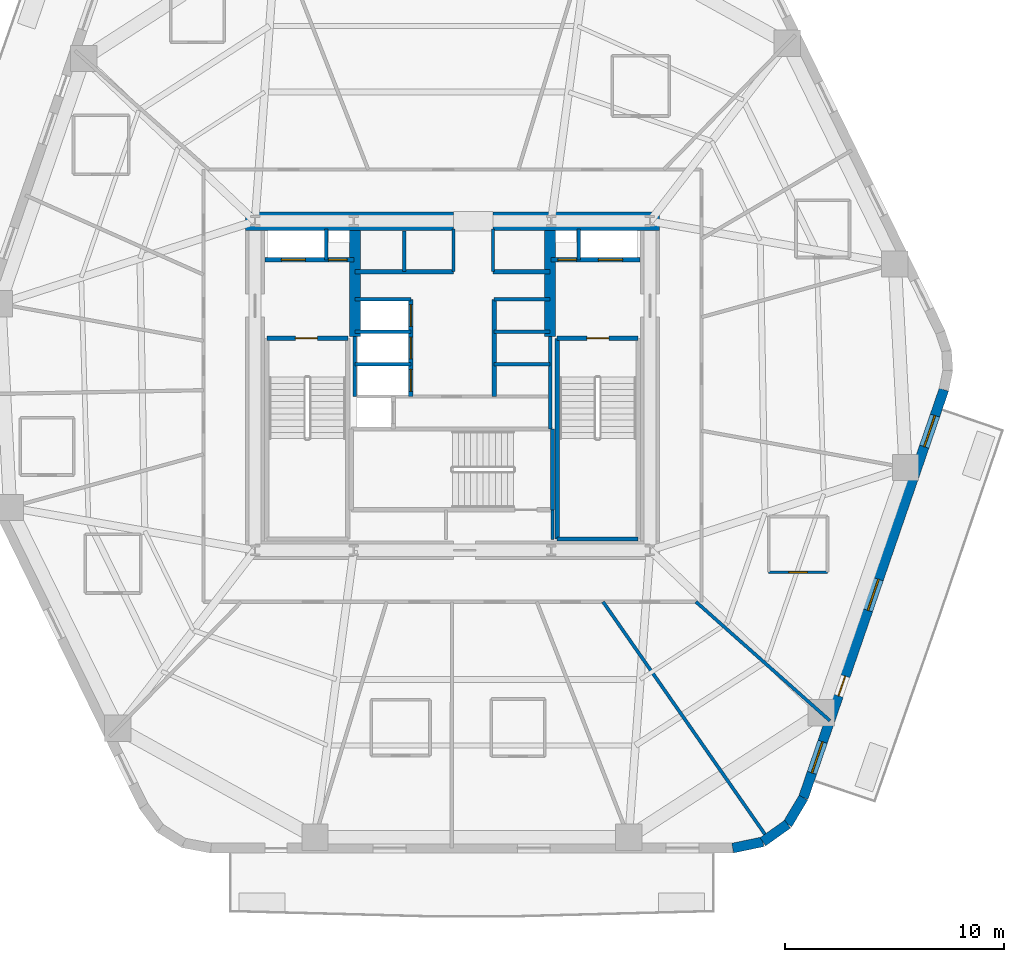
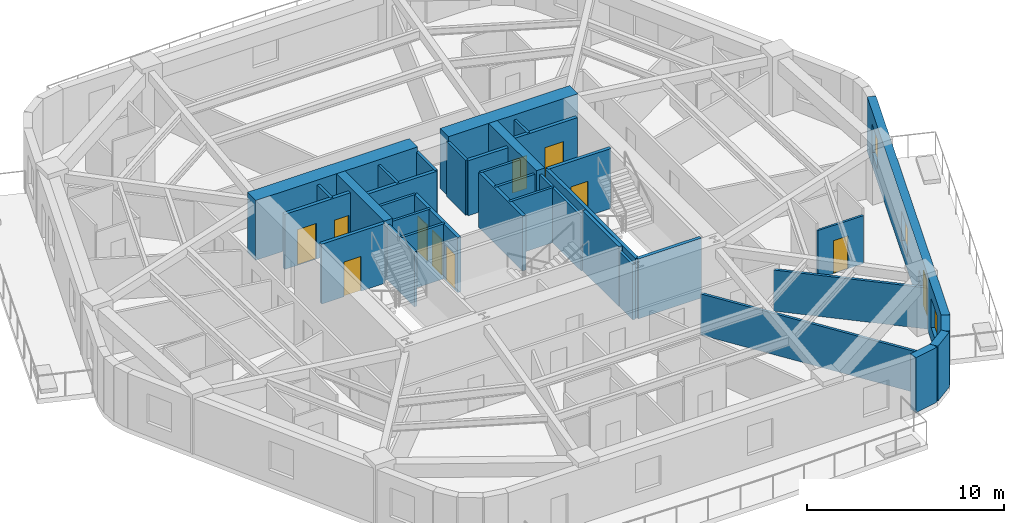
# One storey, part 4 of 8: 36 walls, 11 doors, 3 windows, 14 openings.
"""IFC4 building model written with IfcOpenShell, lengths in metres."""

from ifc_helpers import new_model, si_unit, direction, frame, frame_2d, origin, place, context, subcontext, project, spatial, rectangle, extrude, material, layer, layer_set, type_object, element, fill, save


model = new_model("IFC4")

# Units and contexts
model_context = context("Model", 3, precision=1e-05, world=origin(), true_north=direction((0.0, 1.0)))
body_context = subcontext(model_context, "Body", "Model", "MODEL_VIEW")
ifc_project = project(units=[si_unit("LENGTHUNIT", "METRE"), si_unit("AREAUNIT", "SQUARE_METRE"), si_unit("VOLUMEUNIT", "CUBIC_METRE"), si_unit("PLANEANGLEUNIT", "RADIAN"), si_unit("MASSUNIT", "GRAM", prefix="KILO")], contexts=[model_context])

# Site, building, storey
site_placement = place(None, origin())
site = spatial("IfcSite", under=ifc_project, at=site_placement, CompositionType="ELEMENT")
building_placement = place(site_placement, origin())
building = spatial("IfcBuilding", under=site, at=building_placement, Name="Kilnhurst Terrace Hotel", CompositionType="ELEMENT")
storey_placement = place(building_placement, frame((0.0, 0.0, 106.199951171875)))
storey = spatial("IfcBuildingStorey", under=building, at=storey_placement, Name="L25", CompositionType="ELEMENT", Elevation=106.199951171875)

# Walls
ifc_material_1 = material(Name="Precast concrete C40/50", Category="concrete")
ifc_layer_1 = layer(ifc_material_1, 0.449951171875, Name="Precast concrete C40/50")
ifc_layer_set_1 = layer_set([ifc_layer_1], Name="Precast concrete C40/50")
wall_type_1 = type_object("IfcWallType", Name="WL-BRK-450", PredefinedType="SOLIDWALL", material=ifc_layer_set_1)
wall_1_placement = place(storey_placement, frame((12.7705078125, -21.074951171875, 0.0), z_axis=(0.0, 0.0, 1.0), x_axis=(0.97874281988, 0.205091424819, 0.0)))
element("IfcWall", 1, at=wall_1_placement, inside=storey, type_object=wall_type_1, Name="L25 Rounded Corner Brick Wall C2.1", PredefinedType="SOLIDWALL", context=body_context, shape_type="SweptSolid", body=[
    extrude(rectangle(XDim=1.40576171875, YDim=0.449951171875, at=frame_2d((0.702880859375, 0.0))), origin(), (0.0, 0.0, 1.0), 3.400146484375),
])
wall_2_placement = place(storey_placement, frame((14.146484375, -20.78662109375, 0.0), z_axis=(0.0, 0.0, 1.0), x_axis=(0.814162929117, 0.580636482536, 0.0)))
element("IfcWall", 2, at=wall_2_placement, inside=storey, type_object=wall_type_1, Name="L25 Rounded Corner Brick Wall C2.2", PredefinedType="SOLIDWALL", context=body_context, shape_type="SweptSolid", body=[
    extrude(rectangle(XDim=1.382080078125, YDim=0.449951171875, at=frame_2d((0.69091796875, 0.0))), origin(), (0.0, 0.0, 1.0), 3.400146484375),
])
wall_3_placement = place(storey_placement, frame((15.271728515625, -19.984130859375, 0.0), z_axis=(0.0, 0.0, 1.0), x_axis=(0.512579347361, 0.858639862025, 0.0)))
element("IfcWall", 3, at=wall_3_placement, inside=storey, type_object=wall_type_1, Name="L25 Rounded Corner Brick Wall C2.3", PredefinedType="SOLIDWALL", context=body_context, shape_type="SweptSolid", body=[
    extrude(rectangle(XDim=1.406005859375, YDim=0.449951171875, at=frame_2d((0.703125, 0.0))), origin(), (0.0, 0.0, 1.0), 3.400146484375),
])

# Wall, openings, door, windows
wall_4_placement = place(storey_placement, frame((15.992431640625, -18.77685546875, 0.0), z_axis=(0.0, 0.0, 1.0), x_axis=(0.325606988926, 0.945505202927, 0.0)))
wall_4 = element("IfcWall", 4, at=wall_4_placement, inside=storey, type_object=wall_type_1, Name="L25 Exterior Brick Facade Wall F2", PredefinedType="SOLIDWALL", context=body_context, shape_type="SweptSolid", body=[
    extrude(rectangle(XDim=19.66943359375, YDim=0.449951171875, at=frame_2d((9.834716796875, 0.0))), origin(), (0.0, 0.0, 1.0), 3.400146484375),
])
opening_1_placement = place(wall_4_placement, frame((4.908935546875, 0.0, 0.0)))
opening_1 = element("IfcOpeningElement", 5, at=opening_1_placement, cuts=wall_4, Name="Opening BD-950", PredefinedType="OPENING", context=body_context, shape_type="SweptSolid", body=[
    extrude(rectangle(XDim=0.949951171875, YDim=2.14990234375, at=frame_2d((0.47509765625, 1.074951171875))), frame((0.0, 0.23486328125, 0.0), z_axis=(0.0, -1.0, 0.0), x_axis=(1.0, 0.0, 0.0)), (0.0, 0.0, 1.0), 0.469970703125),
])
opening_2_placement = place(wall_4_placement, frame((1.197021484375, 0.0, 0.800048828125)))
opening_2 = element("IfcOpeningElement", 6, at=opening_2_placement, cuts=wall_4, Name="Opening W-02", PredefinedType="OPENING", context=body_context, shape_type="SweptSolid", body=[
    extrude(rectangle(XDim=1.5, YDim=1.800048828125, at=frame_2d((0.75, 0.89990234375))), frame((0.0, 0.23486328125, 0.0), z_axis=(0.0, -1.0, 0.0), x_axis=(1.0, 0.0, 0.0)), (0.0, 0.0, 1.0), 0.469970703125),
])
opening_3_placement = place(wall_4_placement, frame((9.030029296875, 0.0, 0.800048828125)))
opening_3 = element("IfcOpeningElement", 7, at=opening_3_placement, cuts=wall_4, Name="Opening W-02", PredefinedType="OPENING", context=body_context, shape_type="SweptSolid", body=[
    extrude(rectangle(XDim=1.5, YDim=1.800048828125, at=frame_2d((0.75, 0.89990234375))), frame((0.0, 0.23486328125, 0.0), z_axis=(0.0, -1.0, 0.0), x_axis=(1.0, 0.0, 0.0)), (0.0, 0.0, 1.0), 0.469970703125),
])
opening_4_placement = place(wall_4_placement, frame((16.91796875, 0.0, 0.800048828125)))
opening_4 = element("IfcOpeningElement", 8, at=opening_4_placement, cuts=wall_4, Name="Opening W-02", PredefinedType="OPENING", context=body_context, shape_type="SweptSolid", body=[
    extrude(rectangle(XDim=1.5, YDim=1.800048828125, at=frame_2d((0.75, 0.89990234375))), frame((0.0, 0.23486328125, 0.0), z_axis=(0.0, -1.0, 0.0), x_axis=(1.0, 0.0, 0.0)), (0.0, 0.0, 1.0), 0.469970703125),
])
ifc_material_2 = material(Name="Thermally Broken Bronze Aluminium Alloy 6063-T6 and Laminated Glass", Category="aluminium")
door_type_1 = type_object("IfcDoorType", Name="DR-EXT-BAL-950", OperationType="NOTDEFINED", PredefinedType="DOOR", material=ifc_material_2)
door_1_placement = place(opening_1_placement, origin())
door_1 = element("IfcDoor", 9, at=door_1_placement, inside=storey, type_object=door_type_1, Name="L25 Planted Balcony Door BAL-L1B", OperationType="SINGLE_SWING_RIGHT", OverallHeight=2.14990234375, OverallWidth=0.949951171875, PredefinedType="DOOR", context=body_context, shape_type="SweptSolid", body=[
    extrude(rectangle(XDim=0.949951171875, YDim=2.14990234375, at=frame_2d((0.47509765625, 1.074951171875))), frame((0.0, 0.02490234375, 0.0), z_axis=(0.0, -1.0, 0.0), x_axis=(1.0, 0.0, 0.0)), (0.0, 0.0, 1.0), 0.050048828125),
])
fill(opening_1, door_1)
ifc_material_3 = material(Name="Thermally Broken Bronze Aluminium Alloy 6063-T6 and Low-E Glass", Category="aluminium")
window_type = type_object("IfcWindowType", Name="WIN-1500X1800", PartitioningType="SINGLE_PANEL", PredefinedType="WINDOW", material=ifc_material_3)
window_1_placement = place(opening_2_placement, origin())
window_1 = element("IfcWindow", 10, at=window_1_placement, inside=storey, type_object=window_type, Name="L25 Deep-Set Masonry Window F2.1", OverallHeight=1.800048828125, OverallWidth=1.5, PartitioningType="SINGLE_PANEL", PredefinedType="WINDOW", context=body_context, shape_type="SweptSolid", body=[
    extrude(rectangle(XDim=1.5, YDim=1.800048828125, at=frame_2d((0.75, 0.89990234375))), frame((0.0, 0.030029296875, 0.0), z_axis=(0.0, -1.0, 0.0), x_axis=(1.0, 0.0, 0.0)), (0.0, 0.0, 1.0), 0.06005859375),
])
fill(opening_2, window_1)
window_2_placement = place(opening_3_placement, origin())
window_2 = element("IfcWindow", 11, at=window_2_placement, inside=storey, type_object=window_type, Name="L25 Deep-Set Masonry Window F2.2", OverallHeight=1.800048828125, OverallWidth=1.5, PartitioningType="SINGLE_PANEL", PredefinedType="WINDOW", context=body_context, shape_type="SweptSolid", body=[
    extrude(rectangle(XDim=1.5, YDim=1.800048828125, at=frame_2d((0.75, 0.89990234375))), frame((0.0, 0.030029296875, 0.0), z_axis=(0.0, -1.0, 0.0), x_axis=(1.0, 0.0, 0.0)), (0.0, 0.0, 1.0), 0.06005859375),
])
fill(opening_3, window_2)
window_3_placement = place(opening_4_placement, origin())
window_3 = element("IfcWindow", 12, at=window_3_placement, inside=storey, type_object=window_type, Name="L25 Deep-Set Masonry Window F2.3", OverallHeight=1.800048828125, OverallWidth=1.5, PartitioningType="SINGLE_PANEL", PredefinedType="WINDOW", context=body_context, shape_type="SweptSolid", body=[
    extrude(rectangle(XDim=1.5, YDim=1.800048828125, at=frame_2d((0.75, 0.89990234375))), frame((0.0, 0.030029296875, 0.0), z_axis=(0.0, -1.0, 0.0), x_axis=(1.0, 0.0, 0.0)), (0.0, 0.0, 1.0), 0.06005859375),
])
fill(opening_4, window_3)

# Walls
ifc_material_4 = material(Name="Concrete C80/95", Category="concrete")
ifc_layer_2 = layer(ifc_material_4, 0.85009765625, Name="Concrete C80/95")
ifc_layer_set_2 = layer_set([ifc_layer_2], Name="Concrete C80/95")
wall_type_2 = type_object("IfcWallType", Name="WL-CORE-850", PredefinedType="SHEAR", material=ifc_layer_set_2)
wall_5_placement = place(storey_placement, frame((-9.425048828125, 7.5, 0.0), z_axis=(0.0, 0.0, 1.0), x_axis=(1.0, 0.0, 0.0)))
element("IfcWall", 13, at=wall_5_placement, inside=storey, type_object=wall_type_2, Name="L25 Core North West Shear Wall", PredefinedType="SHEAR", context=body_context, shape_type="SweptSolid", body=[
    extrude(rectangle(XDim=9.47509765625, YDim=0.85009765625, at=frame_2d((4.737548828125, 0.0))), origin(), (0.0, 0.0, 1.0), 3.699951171875),
])
wall_6_placement = place(storey_placement, frame((1.85009765625, 7.5, 0.0), z_axis=(0.0, 0.0, 1.0), x_axis=(1.0, 0.0, 0.0)))
element("IfcWall", 14, at=wall_6_placement, inside=storey, type_object=wall_type_2, Name="L25 Core North East Shear Wall", PredefinedType="SHEAR", context=body_context, shape_type="SweptSolid", body=[
    extrude(rectangle(XDim=7.574951171875, YDim=0.85009765625, at=frame_2d((3.78759765625, 0.0))), origin(), (0.0, 0.0, 1.0), 3.699951171875),
])
ifc_material_5 = material(Name="Concrete C60/75", Category="concrete")
ifc_layer_3 = layer(ifc_material_5, 0.5, Name="Concrete C60/75")
ifc_layer_set_3 = layer_set([ifc_layer_3], Name="Concrete C60/75")
wall_type_3 = type_object("IfcWallType", Name="WL-CORE-WEB-500", PredefinedType="SHEAR", material=ifc_layer_set_3)
for number, where, z_axis, x_axis, name in (
    (15, (-4.449951171875, 2.25, 0.0), (0.0, 0.0, 1.0), (0.0, 1.0, 0.0), "L25 Core Internal West Shear Web"),
    (16, (4.449951171875, 2.25, 0.0), (0.0, 0.0, 1.0), (0.0, 1.0, 0.0), "L25 Core Internal East Shear Web"),
):
    element("IfcWall", number, at=place(storey_placement, frame(where, z_axis=z_axis, x_axis=x_axis)), inside=storey, type_object=wall_type_3, Name=name, PredefinedType="SHEAR", context=body_context, shape_type="SweptSolid", body=[
        extrude(rectangle(XDim=4.824951171875, YDim=0.5, at=frame_2d((2.41259765625, 0.0))), origin(), (0.0, 0.0, 1.0), 3.699951171875),
    ])
ifc_material_6 = material(Name="STC-58 Acoustic Twin-Frame Guestroom Demising Partition")
ifc_layer_4 = layer(ifc_material_6, 0.14990234375, Name="STC-58 Acoustic Twin-Frame Guestroom Demising Partition")
ifc_layer_set_4 = layer_set([ifc_layer_4], Name="STC-58 Acoustic Twin-Frame Guestroom Demising Partition")
wall_type_4 = type_object("IfcWallType", Name="WL-DEM-150", PredefinedType="PARTITIONING", material=ifc_layer_set_4)
wall_7_placement = place(storey_placement, frame((6.861083984375, -9.85009765625, 0.0), z_axis=(0.0, 0.0, 1.0), x_axis=(0.571575431292, -0.820549527051, 0.0)))
element("IfcWall", 17, at=wall_7_placement, inside=storey, type_object=wall_type_4, Name="L25 Interior Wall WL-L25-DEM-MID10-15-1", PredefinedType="PARTITIONING", context=body_context, shape_type="SweptSolid", body=[
    extrude(rectangle(XDim=12.97509765625, YDim=0.14990234375, at=frame_2d((6.487548828125, 0.0))), origin(), (0.0, 0.0, 1.0), 2.5400390625),
])
wall_8_placement = place(storey_placement, frame((11.097900390625, -9.85009765625, 0.0), z_axis=(0.0, 0.0, 1.0), x_axis=(0.747904295103, -0.663806572253, 0.0)))
element("IfcWall", 18, at=wall_8_placement, inside=storey, type_object=wall_type_4, Name="L25 Interior Wall WL-L25-DEM-COL11-16-1", PredefinedType="PARTITIONING", context=body_context, shape_type="SweptSolid", body=[
    extrude(rectangle(XDim=8.160400390625, YDim=0.14990234375, at=frame_2d((4.080078125, 0.0))), origin(), (0.0, 0.0, 1.0), 2.5400390625),
])

# Wall, opening, door
ifc_material_7 = material(Name="120 mm Moisture-Resistant Tile-Backed Bathroom Partition")
ifc_layer_5 = layer(ifc_material_7, 0.1201171875, Name="120 mm Moisture-Resistant Tile-Backed Bathroom Partition")
ifc_layer_set_5 = layer_set([ifc_layer_5], Name="120 mm Moisture-Resistant Tile-Backed Bathroom Partition")
wall_type_5 = type_object("IfcWallType", Name="WL-PART-120", PredefinedType="PARTITIONING", material=ifc_layer_set_5)
wall_9_placement = place(storey_placement, frame((14.4140625, -8.5, 0.0), z_axis=(0.0, 0.0, 1.0), x_axis=(1.0, 0.0, 0.0)))
wall_9 = element("IfcWall", 19, at=wall_9_placement, inside=storey, type_object=wall_type_5, Name="L25 Interior Wall WL-L25-BTH-16-1", PredefinedType="PARTITIONING", context=body_context, shape_type="SweptSolid", body=[
    extrude(rectangle(XDim=2.679931640625, YDim=0.1201171875, at=frame_2d((1.33984375, 0.0))), origin(), (0.0, 0.0, 1.0), 2.972412109375),
])
opening_5_placement = place(wall_9_placement, frame((0.9150390625, 0.0, 0.0)))
opening_5 = element("IfcOpeningElement", 20, at=opening_5_placement, cuts=wall_9, Name="Opening D-08A", PredefinedType="OPENING", context=body_context, shape_type="SweptSolid", body=[
    extrude(rectangle(XDim=0.85009765625, YDim=2.030029296875, at=frame_2d((0.425048828125, 1.01513671875))), frame((0.0, 0.070068359375, 0.0), z_axis=(0.0, -1.0, 0.0), x_axis=(1.0, 0.0, 0.0)), (0.0, 0.0, 1.0), 0.14013671875),
])
ifc_material_8 = material(Name="Moisture-Resistant Lacquered En-suite Bathroom Door")
door_type_2 = type_object("IfcDoorType", Name="DR-INT-850", OperationType="NOTDEFINED", PredefinedType="DOOR", material=ifc_material_8)
door_2_placement = place(opening_5_placement, origin())
door_2 = element("IfcDoor", 21, at=door_2_placement, inside=storey, type_object=door_type_2, Name="L25 En-suite Bathroom Door 16", OperationType="SINGLE_SWING_LEFT", OverallHeight=2.030029296875, OverallWidth=0.85009765625, PredefinedType="DOOR", context=body_context, shape_type="SweptSolid", body=[
    extrude(rectangle(XDim=0.85009765625, YDim=2.030029296875, at=frame_2d((0.425048828125, 1.01513671875))), frame((0.0, 0.02490234375, 0.0), z_axis=(0.0, -1.0, 0.0), x_axis=(1.0, 0.0, 0.0)), (0.0, 0.0, 1.0), 0.050048828125),
])
fill(opening_5, door_2)

# Walls
ifc_material_9 = material(Name="Fire-Rated Gypsum Shaftliner Assembly")
ifc_layer_6 = layer(ifc_material_9, 0.14990234375, Name="Fire-Rated Gypsum Shaftliner Assembly")
ifc_layer_set_6 = layer_set([ifc_layer_6], Name="Fire-Rated Gypsum Shaftliner Assembly")
wall_type_6 = type_object("IfcWallType", Name="WL-SHAFT-150", PredefinedType="PARTITIONING", material=ifc_layer_set_6)
wall_10_placement = place(storey_placement, frame((4.55810546875, -7.02001953125, 0.0), z_axis=(0.0, 0.0, 1.0), x_axis=(0.0, 1.0, 0.0)))
element("IfcWall", 22, at=wall_10_placement, inside=storey, type_object=wall_type_6, Name="L25 Interior Wall WL-L25-ST3-PSGE", PredefinedType="PARTITIONING", context=body_context, shape_type="SweptSolid", body=[
    extrude(rectangle(XDim=1.362060546875, YDim=0.14990234375, at=frame_2d((0.68115234375, 0.0))), origin(), (0.0, 0.0, 1.0), 3.400146484375),
])
for number, where, z_axis, x_axis, name in (
    (23, (-5.75, 5.739990234375, 0.0), (0.0, 0.0, 1.0), (0.0, 1.0, 0.0), "L25 Interior Wall WL-L25-RIS1-DIV"),
    (24, (5.75, 5.739990234375, 0.0), (0.0, 0.0, 1.0), (0.0, 1.0, 0.0), "L25 Interior Wall WL-L25-RIS2-DIV"),
):
    element("IfcWall", number, at=place(storey_placement, frame(where, z_axis=z_axis, x_axis=x_axis)), inside=storey, type_object=wall_type_6, Name=name, PredefinedType="PARTITIONING", context=body_context, shape_type="SweptSolid", body=[
        extrude(rectangle(XDim=1.409912109375, YDim=0.14990234375, at=frame_2d((0.705078125, 0.0))), origin(), (0.0, 0.0, 1.0), 3.400146484375),
    ])
wall_11_placement = place(storey_placement, frame((-2.199951171875, 5.199951171875, 0.0), z_axis=(0.0, 0.0, 1.0), x_axis=(0.0, 1.0, 0.0)))
element("IfcWall", 25, at=wall_11_placement, inside=storey, type_object=wall_type_6, Name="L25 Interior Wall WL-L25-HR-DIV1", PredefinedType="PARTITIONING", context=body_context, shape_type="SweptSolid", body=[
    extrude(rectangle(XDim=1.85009765625, YDim=0.14990234375, at=frame_2d((0.925048828125, 0.0))), origin(), (0.0, 0.0, 1.0), 3.400146484375),
])
for number, where, z_axis, x_axis, name in (
    (26, (0.050048828125, 5.199951171875, 0.0), (0.0, 0.0, 1.0), (0.0, 1.0, 0.0), "L25 Interior Wall WL-L25-HR-PORTAL-W"),
    (27, (1.85009765625, 5.199951171875, 0.0), (0.0, 0.0, 1.0), (0.0, 1.0, 0.0), "L25 Interior Wall WL-L25-HR-PORTAL-E"),
):
    element("IfcWall", number, at=place(storey_placement, frame(where, z_axis=z_axis, x_axis=x_axis)), inside=storey, type_object=wall_type_6, Name=name, PredefinedType="PARTITIONING", context=body_context, shape_type="SweptSolid", body=[
        extrude(rectangle(XDim=1.949951171875, YDim=0.14990234375, at=frame_2d((0.97509765625, 0.0))), origin(), (0.0, 0.0, 1.0), 3.400146484375),
    ])
wall_12_placement = place(storey_placement, frame((-4.449951171875, -0.5, 0.0), z_axis=(0.0, 0.0, 1.0), x_axis=(0.0, 1.0, 0.0)))
element("IfcWall", 28, at=wall_12_placement, inside=storey, type_object=wall_type_6, Name="L25 Interior Wall WL-L25-XLOB-W", PredefinedType="PARTITIONING", context=body_context, shape_type="SweptSolid", body=[
    extrude(rectangle(XDim=2.75, YDim=0.14990234375, at=frame_2d((1.375, 0.0))), origin(), (0.0, 0.0, 1.0), 3.400146484375),
])
wall_13_placement = place(storey_placement, frame((4.449951171875, -1.971923828125, 0.0), z_axis=(0.0, 0.0, 1.0), x_axis=(0.0, 1.0, 0.0)))
element("IfcWall", 29, at=wall_13_placement, inside=storey, type_object=wall_type_6, Name="L25 Interior Wall WL-L25-XLOB-E", PredefinedType="PARTITIONING", context=body_context, shape_type="SweptSolid", body=[
    extrude(rectangle(XDim=4.221923828125, YDim=0.14990234375, at=frame_2d((2.11083984375, 0.0))), origin(), (0.0, 0.0, 1.0), 3.400146484375),
])
for number, where, z_axis, x_axis, name in (
    (30, (-4.449951171875, 3.93994140625, 0.0), (0.0, 0.0, 1.0), (1.0, 0.0, 0.0), "L25 Interior Wall WL-L25-LR-NORTH"),
    (31, (-4.449951171875, 0.97998046875, 0.0), (0.0, 0.0, 1.0), (1.0, 0.0, 0.0), "L25 Interior Wall WL-L25-LR-D1"),
    (32, (-4.449951171875, 2.4599609375, 0.0), (0.0, 0.0, 1.0), (1.0, 0.0, 0.0), "L25 Interior Wall WL-L25-LR-D2"),
    (33, (1.89990234375, 3.93994140625, 0.0), (0.0, 0.0, 1.0), (1.0, 0.0, 0.0), "L25 Interior Wall WL-L25-MR-NORTH"),
    (34, (1.89990234375, 0.97998046875, 0.0), (0.0, 0.0, 1.0), (1.0, 0.0, 0.0), "L25 Interior Wall WL-L25-MR-D1"),
    (35, (1.89990234375, 2.4599609375, 0.0), (0.0, 0.0, 1.0), (1.0, 0.0, 0.0), "L25 Interior Wall WL-L25-MR-D2"),
):
    element("IfcWall", number, at=place(storey_placement, frame(where, z_axis=z_axis, x_axis=x_axis)), inside=storey, type_object=wall_type_6, Name=name, PredefinedType="PARTITIONING", context=body_context, shape_type="SweptSolid", body=[
        extrude(rectangle(XDim=2.550048828125, YDim=0.14990234375, at=frame_2d((1.27490234375, 0.0))), origin(), (0.0, 0.0, 1.0), 3.400146484375),
    ])

# Wall, openings, doors
ifc_material_10 = material(Name="Autoclaved Aerated Concrete C30/37 and Gypsum Shaft Assembly", Category="concrete")
ifc_layer_7 = layer(ifc_material_10, 0.199951171875, Name="Autoclaved Aerated Concrete C30/37 and Gypsum Shaft Assembly")
ifc_layer_set_7 = layer_set([ifc_layer_7], Name="Autoclaved Aerated Concrete C30/37 and Gypsum Shaft Assembly")
wall_type_7 = type_object("IfcWallType", Name="WL-SHAFT-200", PredefinedType="PARTITIONING", material=ifc_layer_set_7)
wall_14_placement = place(storey_placement, frame((-8.550048828125, 5.739990234375, 0.0), z_axis=(0.0, 0.0, 1.0), x_axis=(1.0, 0.0, 0.0)))
wall_14 = element("IfcWall", 36, at=wall_14_placement, inside=storey, type_object=wall_type_7, Name="L25 Interior Wall WL-L25-FSAE1-S", PredefinedType="PARTITIONING", context=body_context, shape_type="SweptSolid", body=[
    extrude(rectangle(XDim=4.050048828125, YDim=0.199951171875, at=frame_2d((2.02490234375, 0.0))), origin(), (0.0, 0.0, 1.0), 3.400146484375),
])
opening_6_placement = place(wall_14_placement, frame((0.75, 0.0, 0.0)))
opening_6 = element("IfcOpeningElement", 37, at=opening_6_placement, cuts=wall_14, Name="Opening LD-F1", PredefinedType="OPENING", context=body_context, shape_type="SweptSolid", body=[
    extrude(rectangle(XDim=1.10009765625, YDim=2.199951171875, at=frame_2d((0.550048828125, 1.10009765625))), frame((0.0, 0.10986328125, 0.0), z_axis=(0.0, -1.0, 0.0), x_axis=(1.0, 0.0, 0.0)), (0.0, 0.0, 1.0), 0.219970703125),
])
opening_7_placement = place(wall_14_placement, frame((2.89990234375, 0.0, 0.0)))
opening_7 = element("IfcOpeningElement", 38, at=opening_7_placement, cuts=wall_14, Name="Opening D-60D", PredefinedType="OPENING", context=body_context, shape_type="SweptSolid", body=[
    extrude(rectangle(XDim=0.85009765625, YDim=2.030029296875, at=frame_2d((0.425048828125, 1.01513671875))), frame((0.0, 0.10986328125, 0.0), z_axis=(0.0, -1.0, 0.0), x_axis=(1.0, 0.0, 0.0)), (0.0, 0.0, 1.0), 0.219970703125),
])
ifc_material_11 = material(Name="Painted Hollow Metal Steel ASTM A36 Riser Door", Category="steel")
door_type_3 = type_object("IfcDoorType", Name="DR-FD60-850", OperationType="NOTDEFINED", PredefinedType="DOOR", material=ifc_material_11)
door_3_placement = place(opening_7_placement, origin())
door_3 = element("IfcDoor", 39, at=door_3_placement, inside=storey, type_object=door_type_3, Name="L25 Electrical Riser Door", OperationType="SINGLE_SWING_LEFT", OverallHeight=2.030029296875, OverallWidth=0.85009765625, PredefinedType="DOOR", context=body_context, shape_type="SweptSolid", body=[
    extrude(rectangle(XDim=0.85009765625, YDim=2.030029296875, at=frame_2d((0.425048828125, 1.01513671875))), frame((0.0, 0.02490234375, 0.0), z_axis=(0.0, -1.0, 0.0), x_axis=(1.0, 0.0, 0.0)), (0.0, 0.0, 1.0), 0.050048828125),
])
fill(opening_7, door_3)
ifc_material_12 = material(Name="Bronze-Anodized Stainless Steel AISI 316L Sliding Door", Category="steel")
door_type_4 = type_object("IfcDoorType", Name="DR-LIFT-1100", OperationType="NOTDEFINED", PredefinedType="DOOR", material=ifc_material_12)
door_4_placement = place(opening_6_placement, origin())
door_4 = element("IfcDoor", 40, at=door_4_placement, inside=storey, type_object=door_type_4, Name="L25 FSAE-1 Landing Door", OperationType="SLIDING_TO_LEFT", OverallHeight=2.199951171875, OverallWidth=1.10009765625, PredefinedType="DOOR", context=body_context, shape_type="SweptSolid", body=[
    extrude(rectangle(XDim=1.10009765625, YDim=2.199951171875, at=frame_2d((0.550048828125, 1.10009765625))), frame((0.0, 0.02490234375, 0.0), z_axis=(0.0, -1.0, 0.0), x_axis=(1.0, 0.0, 0.0)), (0.0, 0.0, 1.0), 0.050048828125),
])
fill(opening_6, door_4)

wall_15_placement = place(storey_placement, frame((4.5, 5.739990234375, 0.0), z_axis=(0.0, 0.0, 1.0), x_axis=(1.0, 0.0, 0.0)))
wall_15 = element("IfcWall", 41, at=wall_15_placement, inside=storey, type_object=wall_type_7, Name="L25 Interior Wall WL-L25-FSAE2-S", PredefinedType="PARTITIONING", context=body_context, shape_type="SweptSolid", body=[
    extrude(rectangle(XDim=4.050048828125, YDim=0.199951171875, at=frame_2d((2.02490234375, 0.0))), origin(), (0.0, 0.0, 1.0), 3.400146484375),
])
opening_8_placement = place(wall_15_placement, frame((0.300048828125, 0.0, 0.0)))
opening_8 = element("IfcOpeningElement", 42, at=opening_8_placement, cuts=wall_15, Name="Opening D-60D", PredefinedType="OPENING", context=body_context, shape_type="SweptSolid", body=[
    extrude(rectangle(XDim=0.85009765625, YDim=2.030029296875, at=frame_2d((0.425048828125, 1.01513671875))), frame((0.0, 0.10986328125, 0.0), z_axis=(0.0, -1.0, 0.0), x_axis=(1.0, 0.0, 0.0)), (0.0, 0.0, 1.0), 0.219970703125),
])
opening_9_placement = place(wall_15_placement, frame((2.14990234375, 0.0, 0.0)))
opening_9 = element("IfcOpeningElement", 43, at=opening_9_placement, cuts=wall_15, Name="Opening LD-F2", PredefinedType="OPENING", context=body_context, shape_type="SweptSolid", body=[
    extrude(rectangle(XDim=1.10009765625, YDim=2.199951171875, at=frame_2d((0.550048828125, 1.10009765625))), frame((0.0, 0.10986328125, 0.0), z_axis=(0.0, -1.0, 0.0), x_axis=(1.0, 0.0, 0.0)), (0.0, 0.0, 1.0), 0.219970703125),
])
door_5_placement = place(opening_8_placement, origin())
door_5 = element("IfcDoor", 44, at=door_5_placement, inside=storey, type_object=door_type_3, Name="L25 Telecom Riser Door", OperationType="SINGLE_SWING_RIGHT", OverallHeight=2.030029296875, OverallWidth=0.85009765625, PredefinedType="DOOR", context=body_context, shape_type="SweptSolid", body=[
    extrude(rectangle(XDim=0.85009765625, YDim=2.030029296875, at=frame_2d((0.425048828125, 1.01513671875))), frame((0.0, 0.02490234375, 0.0), z_axis=(0.0, -1.0, 0.0), x_axis=(1.0, 0.0, 0.0)), (0.0, 0.0, 1.0), 0.050048828125),
])
fill(opening_8, door_5)
door_6_placement = place(opening_9_placement, origin())
door_6 = element("IfcDoor", 45, at=door_6_placement, inside=storey, type_object=door_type_4, Name="L25 FSAE-2 Landing Door", OperationType="SLIDING_TO_RIGHT", OverallHeight=2.199951171875, OverallWidth=1.10009765625, PredefinedType="DOOR", context=body_context, shape_type="SweptSolid", body=[
    extrude(rectangle(XDim=1.10009765625, YDim=2.199951171875, at=frame_2d((0.550048828125, 1.10009765625))), frame((0.0, 0.02490234375, 0.0), z_axis=(0.0, -1.0, 0.0), x_axis=(1.0, 0.0, 0.0)), (0.0, 0.0, 1.0), 0.050048828125),
])
fill(opening_9, door_6)

# Walls
wall_16_placement = place(storey_placement, frame((-4.449951171875, 5.199951171875, 0.0), z_axis=(0.0, 0.0, 1.0), x_axis=(1.0, 0.0, 0.0)))
element("IfcWall", 46, at=wall_16_placement, inside=storey, type_object=wall_type_7, Name="L25 Interior Wall WL-L25-HR-SW", PredefinedType="PARTITIONING", context=body_context, shape_type="SweptSolid", body=[
    extrude(rectangle(XDim=4.5, YDim=0.199951171875, at=frame_2d((2.25, 0.0))), origin(), (0.0, 0.0, 1.0), 3.400146484375),
])
wall_17_placement = place(storey_placement, frame((1.85009765625, 5.199951171875, 0.0), z_axis=(0.0, 0.0, 1.0), x_axis=(1.0, 0.0, 0.0)))
element("IfcWall", 47, at=wall_17_placement, inside=storey, type_object=wall_type_7, Name="L25 Interior Wall WL-L25-HR-SE", PredefinedType="PARTITIONING", context=body_context, shape_type="SweptSolid", body=[
    extrude(rectangle(XDim=2.599853515625, YDim=0.199951171875, at=frame_2d((1.2998046875, 0.0))), origin(), (0.0, 0.0, 1.0), 3.400146484375),
])

# Wall, openings, doors
wall_18_placement = place(storey_placement, frame((-1.89990234375, -0.5, 0.0), z_axis=(0.0, 0.0, 1.0), x_axis=(0.0, 1.0, 0.0)))
wall_18 = element("IfcWall", 48, at=wall_18_placement, inside=storey, type_object=wall_type_7, Name="L25 Interior Wall WL-L25-LR-FRONT", PredefinedType="PARTITIONING", context=body_context, shape_type="SweptSolid", body=[
    extrude(rectangle(XDim=4.43994140625, YDim=0.199951171875, at=frame_2d((2.219970703125, 0.0))), origin(), (0.0, 0.0, 1.0), 3.400146484375),
])
opening_10_placement = place(wall_18_placement, frame((0.239990234375, 0.0, 0.0)))
opening_10 = element("IfcOpeningElement", 49, at=opening_10_placement, cuts=wall_18, Name="Opening LD-LR", PredefinedType="OPENING", context=body_context, shape_type="SweptSolid", body=[
    extrude(rectangle(XDim=1.0, YDim=2.199951171875, at=frame_2d((0.5, 1.10009765625))), frame((0.0, 0.10986328125, 0.0), z_axis=(0.0, -1.0, 0.0), x_axis=(1.0, 0.0, 0.0)), (0.0, 0.0, 1.0), 0.219970703125),
])
opening_11_placement = place(wall_18_placement, frame((1.719970703125, 0.0, 0.0)))
opening_11 = element("IfcOpeningElement", 50, at=opening_11_placement, cuts=wall_18, Name="Opening LD-LR", PredefinedType="OPENING", context=body_context, shape_type="SweptSolid", body=[
    extrude(rectangle(XDim=1.0, YDim=2.199951171875, at=frame_2d((0.5, 1.10009765625))), frame((0.0, 0.10986328125, 0.0), z_axis=(0.0, -1.0, 0.0), x_axis=(1.0, 0.0, 0.0)), (0.0, 0.0, 1.0), 0.219970703125),
])
opening_12_placement = place(wall_18_placement, frame((3.199951171875, 0.0, 0.0)))
opening_12 = element("IfcOpeningElement", 51, at=opening_12_placement, cuts=wall_18, Name="Opening LD-LR", PredefinedType="OPENING", context=body_context, shape_type="SweptSolid", body=[
    extrude(rectangle(XDim=1.0, YDim=2.199951171875, at=frame_2d((0.5, 1.10009765625))), frame((0.0, 0.10986328125, 0.0), z_axis=(0.0, -1.0, 0.0), x_axis=(1.0, 0.0, 0.0)), (0.0, 0.0, 1.0), 0.219970703125),
])
door_type_5 = type_object("IfcDoorType", Name="DR-LIFT-1000", OperationType="NOTDEFINED", PredefinedType="DOOR", material=ifc_material_12)
door_7_placement = place(opening_10_placement, origin())
door_7 = element("IfcDoor", 52, at=door_7_placement, inside=storey, type_object=door_type_5, Name="L25 Low Rise Lift LR-1 Landing Door", OperationType="SLIDING_TO_LEFT", OverallHeight=2.199951171875, OverallWidth=1.0, PredefinedType="DOOR", context=body_context, shape_type="SweptSolid", body=[
    extrude(rectangle(XDim=1.0, YDim=2.199951171875, at=frame_2d((0.5, 1.10009765625))), frame((0.0, 0.02490234375, 0.0), z_axis=(0.0, -1.0, 0.0), x_axis=(1.0, 0.0, 0.0)), (0.0, 0.0, 1.0), 0.050048828125),
])
fill(opening_10, door_7)
door_8_placement = place(opening_11_placement, origin())
door_8 = element("IfcDoor", 53, at=door_8_placement, inside=storey, type_object=door_type_5, Name="L25 Low Rise Lift LR-2 Landing Door", OperationType="SLIDING_TO_LEFT", OverallHeight=2.199951171875, OverallWidth=1.0, PredefinedType="DOOR", context=body_context, shape_type="SweptSolid", body=[
    extrude(rectangle(XDim=1.0, YDim=2.199951171875, at=frame_2d((0.5, 1.10009765625))), frame((0.0, 0.02490234375, 0.0), z_axis=(0.0, -1.0, 0.0), x_axis=(1.0, 0.0, 0.0)), (0.0, 0.0, 1.0), 0.050048828125),
])
fill(opening_11, door_8)
door_9_placement = place(opening_12_placement, origin())
door_9 = element("IfcDoor", 54, at=door_9_placement, inside=storey, type_object=door_type_5, Name="L25 Low Rise Lift LR-3 Landing Door", OperationType="SLIDING_TO_LEFT", OverallHeight=2.199951171875, OverallWidth=1.0, PredefinedType="DOOR", context=body_context, shape_type="SweptSolid", body=[
    extrude(rectangle(XDim=1.0, YDim=2.199951171875, at=frame_2d((0.5, 1.10009765625))), frame((0.0, 0.02490234375, 0.0), z_axis=(0.0, -1.0, 0.0), x_axis=(1.0, 0.0, 0.0)), (0.0, 0.0, 1.0), 0.050048828125),
])
fill(opening_12, door_9)

# Wall
wall_19_placement = place(storey_placement, frame((1.89990234375, -0.5, 0.0), z_axis=(0.0, 0.0, 1.0), x_axis=(0.0, 1.0, 0.0)))
element("IfcWall", 55, at=wall_19_placement, inside=storey, type_object=wall_type_7, Name="L25 Interior Wall WL-L25-MR-FRONT", PredefinedType="PARTITIONING", context=body_context, shape_type="SweptSolid", body=[
    extrude(rectangle(XDim=4.43994140625, YDim=0.199951171875, at=frame_2d((2.219970703125, 0.0))), origin(), (0.0, 0.0, 1.0), 3.400146484375),
])

# Wall, opening, door
ifc_material_13 = material(Name="Concrete C50/60", Category="concrete")
ifc_layer_8 = layer(ifc_material_13, 0.199951171875, Name="Concrete C50/60")
ifc_layer_set_8 = layer_set([ifc_layer_8], Name="Concrete C50/60")
wall_type_8 = type_object("IfcWallType", Name="WL-STAIR-RC-200", PredefinedType="SHEAR", material=ifc_layer_set_8)
wall_20_placement = place(storey_placement, frame((-8.4580078125, 2.157958984375, 0.0), z_axis=(0.0, 0.0, 1.0), x_axis=(1.0, 0.0, 0.0)))
wall_20 = element("IfcWall", 56, at=wall_20_placement, inside=storey, type_object=wall_type_8, Name="L25 Structural Stair Shaft Wall WL-L25-ST1-N", PredefinedType="SHEAR", context=body_context, shape_type="SweptSolid", body=[
    extrude(rectangle(XDim=3.68603515625, YDim=0.199951171875, at=frame_2d((1.843017578125, 0.0))), origin(), (0.0, 0.0, 1.0), 3.699951171875),
])
opening_13_placement = place(wall_20_placement, frame((1.300048828125, 0.0, 0.0)))
opening_13 = element("IfcOpeningElement", 57, at=opening_13_placement, cuts=wall_20, Name="Opening D-90B", PredefinedType="OPENING", context=body_context, shape_type="SweptSolid", body=[
    extrude(rectangle(XDim=1.0, YDim=2.14990234375, at=frame_2d((0.5, 1.074951171875))), frame((0.0, 0.10986328125, 0.0), z_axis=(0.0, -1.0, 0.0), x_axis=(1.0, 0.0, 0.0)), (0.0, 0.0, 1.0), 0.219970703125),
])
ifc_material_14 = material(Name="Painted Hollow Metal Steel ASTM A36 Fire Door", Category="steel")
door_type_6 = type_object("IfcDoorType", Name="DR-FD90-1000", OperationType="NOTDEFINED", PredefinedType="DOOR", material=ifc_material_14)
door_10_placement = place(opening_13_placement, origin())
door_10 = element("IfcDoor", 58, at=door_10_placement, inside=storey, type_object=door_type_6, Name="L25 Stair ST-1 Door", OperationType="SINGLE_SWING_LEFT", OverallHeight=2.14990234375, OverallWidth=1.0, PredefinedType="DOOR", context=body_context, shape_type="SweptSolid", body=[
    extrude(rectangle(XDim=1.0, YDim=2.14990234375, at=frame_2d((0.5, 1.074951171875))), frame((0.0, 0.02490234375, 0.0), z_axis=(0.0, -1.0, 0.0), x_axis=(1.0, 0.0, 0.0)), (0.0, 0.0, 1.0), 0.050048828125),
])
fill(opening_13, door_10)

# Walls
wall_21_placement = place(storey_placement, frame((4.77197265625, -6.985107421875, 0.0), z_axis=(0.0, 0.0, 1.0), x_axis=(0.0, 1.0, 0.0)))
element("IfcWall", 59, at=wall_21_placement, inside=storey, type_object=wall_type_8, Name="L25 Structural Stair Shaft Wall WL-L25-ST2-W", PredefinedType="SHEAR", context=body_context, shape_type="SweptSolid", body=[
    extrude(rectangle(XDim=9.14306640625, YDim=0.199951171875, at=frame_2d((4.571533203125, 0.0))), origin(), (0.0, 0.0, 1.0), 3.699951171875),
])
wall_22_placement = place(storey_placement, frame((4.77197265625, -6.985107421875, 0.0), z_axis=(0.0, 0.0, 1.0), x_axis=(1.0, 0.0, 0.0)))
element("IfcWall", 60, at=wall_22_placement, inside=storey, type_object=wall_type_8, Name="L25 Structural Stair Shaft Wall WL-L25-ST2-S", PredefinedType="SHEAR", context=body_context, shape_type="SweptSolid", body=[
    extrude(rectangle(XDim=3.68603515625, YDim=0.199951171875, at=frame_2d((1.843017578125, 0.0))), origin(), (0.0, 0.0, 1.0), 3.699951171875),
])

# Wall, opening, door
wall_23_placement = place(storey_placement, frame((4.77197265625, 2.157958984375, 0.0), z_axis=(0.0, 0.0, 1.0), x_axis=(1.0, 0.0, 0.0)))
wall_23 = element("IfcWall", 61, at=wall_23_placement, inside=storey, type_object=wall_type_8, Name="L25 Structural Stair Shaft Wall WL-L25-ST2-N", PredefinedType="SHEAR", context=body_context, shape_type="SweptSolid", body=[
    extrude(rectangle(XDim=3.68603515625, YDim=0.199951171875, at=frame_2d((1.843017578125, 0.0))), origin(), (0.0, 0.0, 1.0), 3.699951171875),
])
opening_14_placement = place(wall_23_placement, frame((1.35009765625, 0.0, 0.0)))
opening_14 = element("IfcOpeningElement", 62, at=opening_14_placement, cuts=wall_23, Name="Opening D-90B", PredefinedType="OPENING", context=body_context, shape_type="SweptSolid", body=[
    extrude(rectangle(XDim=1.0, YDim=2.14990234375, at=frame_2d((0.5, 1.074951171875))), frame((0.0, 0.10986328125, 0.0), z_axis=(0.0, -1.0, 0.0), x_axis=(1.0, 0.0, 0.0)), (0.0, 0.0, 1.0), 0.219970703125),
])
door_11_placement = place(opening_14_placement, origin())
door_11 = element("IfcDoor", 63, at=door_11_placement, inside=storey, type_object=door_type_6, Name="L25 Stair ST-2 Door", OperationType="SINGLE_SWING_RIGHT", OverallHeight=2.14990234375, OverallWidth=1.0, PredefinedType="DOOR", context=body_context, shape_type="SweptSolid", body=[
    extrude(rectangle(XDim=1.0, YDim=2.14990234375, at=frame_2d((0.5, 1.074951171875))), frame((0.0, 0.02490234375, 0.0), z_axis=(0.0, -1.0, 0.0), x_axis=(1.0, 0.0, 0.0)), (0.0, 0.0, 1.0), 0.050048828125),
])
fill(opening_14, door_11)

# Wall
wall_24_placement = place(storey_placement, frame((4.55810546875, -5.657958984375, 0.0), z_axis=(0.0, 0.0, 1.0), x_axis=(0.0, 1.0, 0.0)))
element("IfcWall", 64, at=wall_24_placement, inside=storey, type_object=wall_type_8, Name="L25 Structural Stair Shaft Wall WL-L25-ST3-E", PredefinedType="SHEAR", context=body_context, shape_type="SweptSolid", body=[
    extrude(rectangle(XDim=3.68603515625, YDim=0.199951171875, at=frame_2d((1.843017578125, 0.0))), origin(), (0.0, 0.0, 1.0), 3.699951171875),
])

save(model, "model.ifc")
